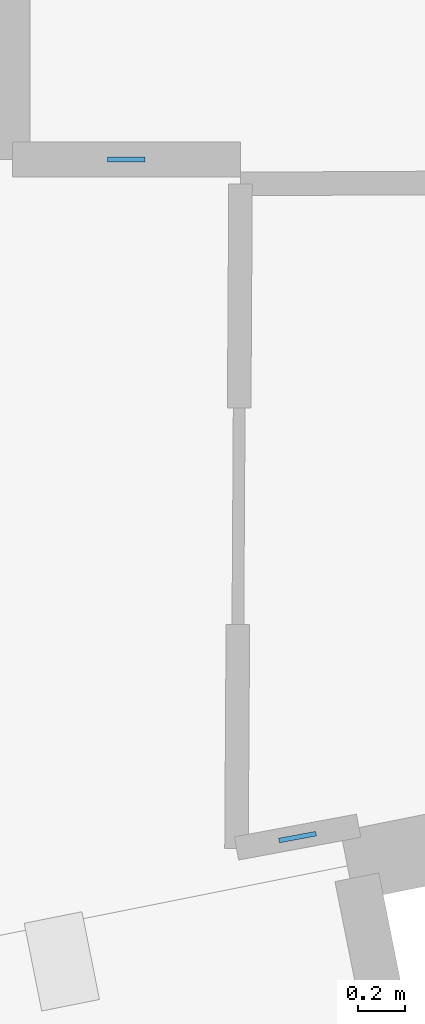
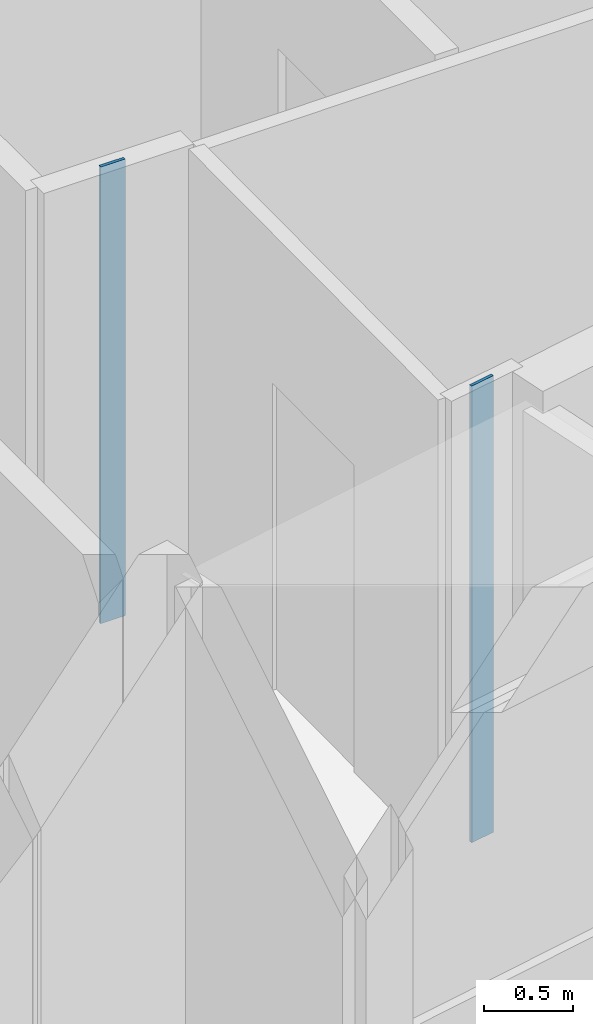
# One storey, part 5 of 16: 2 plates.
"""IFC4 building model written with IfcOpenShell, lengths in metres."""

import ifcopenshell
import ifcopenshell.guid

model = None  # the IFC model being written
_history = None  # IfcOwnerHistory: only IFC2X3 demands one
_inside = {}  # id of a spatial element -> (the spatial element, [elements in it])
_under = {}  # id of a project, library or spatial element -> (it, [spatial elements below it])
_declared = {}  # id of a project -> (the project, [libraries it declares])
_typed = {}  # id of a type object -> (the type object, [elements of that type])
_made_of = {}  # id of a material, layer set ... -> (it, [elements and type objects made of it])


def new_model(schema):
    """Start an empty IFC model of exactly this schema.

    Asked for "IFC4X3", IfcOpenShell would pick the latest addendum, in which some entities
    have other attributes; the version numbers below select the first issue.
    IFC2X3 requires an IfcOwnerHistory on every rooted entity: one is made here for all.
    """
    global model, _history
    if schema == "IFC4X3":
        model = ifcopenshell.file(schema_version=(4, 3, 0, 0))
    else:
        model = ifcopenshell.file(schema=schema)
    _inside.clear()
    _under.clear()
    _declared.clear()
    _typed.clear()
    _made_of.clear()
    _history = None
    if model.schema == "IFC2X3":
        org = make("IfcOrganization", Name="unknown")
        user = make(
            "IfcPersonAndOrganization",
            ThePerson=make("IfcPerson", FamilyName="unknown"),
            TheOrganization=org,
        )
        app = make(
            "IfcApplication",
            ApplicationDeveloper=org,
            Version="unknown",
            ApplicationFullName="unknown",
            ApplicationIdentifier="unknown",
        )
        _history = make(
            "IfcOwnerHistory",
            OwningUser=user,
            OwningApplication=app,
            ChangeAction="ADDED",
            CreationDate=0,
        )
    return model


def make(cls, **values):
    """One entity of the class cls with the attributes given. An attribute that is None is left unset."""
    return model.create_entity(
        cls, **{name: value for name, value in values.items() if value is not None}
    )


def rooted(cls, **values):
    """An entity with a GlobalId (a new one), such as an element, a storey or a relation."""
    return make(cls, GlobalId=ifcopenshell.guid.new(), OwnerHistory=_history, **values)


def si_unit(unit_type, name, prefix=None):
    """IfcSIUnit, for example si_unit("LENGTHUNIT", "METRE", prefix="MILLI")."""
    return make("IfcSIUnit", UnitType=unit_type, Prefix=prefix, Name=name)


def assignment(units):
    """IfcUnitAssignment: the units of a project."""
    return None if units is None else make("IfcUnitAssignment", Units=units)


def point(xyz):
    """IfcCartesianPoint."""
    return None if xyz is None else make("IfcCartesianPoint", Coordinates=xyz)


def direction(xyz):
    """IfcDirection."""
    return None if xyz is None else make("IfcDirection", DirectionRatios=xyz)


def frame(location, z_axis=None, x_axis=None):
    """IfcAxis2Placement3D, a coordinate frame: its origin and axes. An axis left out is left unset."""
    return make(
        "IfcAxis2Placement3D",
        Location=point(location),
        Axis=direction(z_axis),
        RefDirection=direction(x_axis),
    )


def frame_2d(location, x_axis=None):
    """IfcAxis2Placement2D, a coordinate frame in the plane: its origin and x axis."""
    return make(
        "IfcAxis2Placement2D", Location=point(location), RefDirection=direction(x_axis)
    )


def origin():
    """The frame at (0, 0, 0) with its axes left unset."""
    return frame((0.0, 0.0, 0.0))


def origin_2d():
    """The frame at (0, 0) in the plane with its x axis left unset."""
    return frame_2d((0.0, 0.0))


def place(relative_to, where):
    """IfcLocalPlacement: puts the frame where relative to a parent placement (None: the world)."""
    return make(
        "IfcLocalPlacement", PlacementRelTo=relative_to, RelativePlacement=where
    )


def context(
    kind, dimensions, precision=None, world=None, true_north=None, identifier=None
):
    """IfcGeometricRepresentationContext, for example the 3D "Model" context."""
    return make(
        "IfcGeometricRepresentationContext",
        ContextIdentifier=identifier,
        ContextType=kind,
        CoordinateSpaceDimension=dimensions,
        Precision=precision,
        WorldCoordinateSystem=world,
        TrueNorth=true_north,
    )


def subcontext(parent, identifier, kind, view, scale=None):
    """IfcGeometricRepresentationSubContext, for example "Body" below "Model"."""
    return make(
        "IfcGeometricRepresentationSubContext",
        ContextIdentifier=identifier,
        ContextType=kind,
        ParentContext=parent,
        TargetScale=scale,
        TargetView=view,
    )


def project(units=None, contexts=None):
    """IfcProject with its units and contexts."""
    return rooted(
        "IfcProject",
        Name="project",
        RepresentationContexts=contexts,
        UnitsInContext=assignment(units),
    )


def spatial(cls, under=None, at=None, **own):
    """A site, building, storey or space (cls), placed at a placement, below another one or the project."""
    s = rooted(cls, ObjectPlacement=at, **own)
    if under is not None:
        _under.setdefault(under.id(), (under, []))[1].append(s)
    return s


def profile(cls, at=None, kind="AREA", **sizes):
    """A parametric profile (cls). Its sizes go by their IFC names, for example OverallWidth=200.0."""
    return make(cls, ProfileType=kind, Position=at, **sizes)


def rectangle(**sizes):
    """IfcRectangleProfileDef."""
    return profile("IfcRectangleProfileDef", **sizes)


def extrude(swept, where, along, depth):
    """IfcExtrudedAreaSolid: the profile swept, set in the frame where, extruded along a direction by depth."""
    return make(
        "IfcExtrudedAreaSolid",
        SweptArea=swept,
        Position=where,
        ExtrudedDirection=direction(along),
        Depth=depth,
    )


def shape(context_of_items, identifier, shape_type, items):
    """IfcShapeRepresentation: the items that make up one representation, for example the "Body"."""
    return make(
        "IfcShapeRepresentation",
        ContextOfItems=context_of_items,
        RepresentationIdentifier=identifier,
        RepresentationType=shape_type,
        Items=items,
    )


def material(Name=None, Category=None):
    """IfcMaterial."""
    return make("IfcMaterial", Name=Name, Category=Category)


def layer(
    of_material, thickness, ventilated=None, Name=None, Category=None, Priority=None
):
    """IfcMaterialLayer: one layer of a wall or slab, of a material (None: an air gap)."""
    return make(
        "IfcMaterialLayer",
        Material=of_material,
        LayerThickness=thickness,
        IsVentilated=ventilated,
        Name=Name,
        Category=Category,
        Priority=Priority,
    )


def layer_set(layers, Name=None):
    """IfcMaterialLayerSet."""
    return make("IfcMaterialLayerSet", MaterialLayers=layers, LayerSetName=Name)


def made_of(thing, what):
    """Note that an element or type object is made of a material, layer set ...; save() writes the relation."""
    if what is not None:
        _made_of.setdefault(what.id(), (what, []))[1].append(thing)
    return thing


def type_object(cls, material=None, **own):
    """A type object (cls), such as IfcWallType, which elements share."""
    return made_of(rooted(cls, **own), material)


def element(
    cls,
    number,
    at=None,
    inside=None,
    cuts=None,
    type_object=None,
    material=None,
    context=None,
    identifier="Body",
    shape_type=None,
    held_by="IfcProductDefinitionShape",
    body=None,
    shapes=None,
    **own,
):
    """One element of the class cls, such as IfcWall. Its Tag is "e" and its number.

    at: its placement. inside: the storey or other place that contains it. cuts: it is an
    opening in that element (IfcRelVoidsElement). A single representation is given by context,
    identifier, shape_type and body (its items); several are given by shapes. held_by: the class
    of the entity that holds the representations. save() writes the other relations.
    """
    e = rooted(cls, Tag="e%d" % number, ObjectPlacement=at, **own)
    if body is not None:
        shapes = [shape(context, identifier, shape_type, body)]
    if shapes is not None:
        e.Representation = make(held_by, Representations=shapes)
    if inside is not None:
        _inside.setdefault(inside.id(), (inside, []))[1].append(e)
    if cuts is not None:
        rooted(
            "IfcRelVoidsElement", RelatingBuildingElement=cuts, RelatedOpeningElement=e
        )
    if type_object is not None:
        _typed.setdefault(type_object.id(), (type_object, []))[1].append(e)
    return made_of(e, material)


def aggregate(whole, parts):
    """IfcRelAggregates: a whole, such as a stair, and the parts it consists of."""
    return rooted("IfcRelAggregates", RelatingObject=whole, RelatedObjects=parts)


def save(model, path):
    """Write the relations noted so far, then the file.

    IfcRelAggregates (storeys below a building ...), IfcRelContainedInSpatialStructure (elements
    in a storey), IfcRelDefinesByType, IfcRelAssociatesMaterial and IfcRelDeclares: one each for
    every whole, place, type object, material and project.
    """
    for whole, parts in _under.values():
        aggregate(whole, parts)
    for where, things in _inside.values():
        rooted(
            "IfcRelContainedInSpatialStructure",
            RelatedElements=things,
            RelatingStructure=where,
        )
    for kind, things in _typed.values():
        rooted("IfcRelDefinesByType", RelatedObjects=things, RelatingType=kind)
    for what, things in _made_of.values():
        rooted("IfcRelAssociatesMaterial", RelatedObjects=things, RelatingMaterial=what)
    for by, libraries in _declared.values():
        rooted("IfcRelDeclares", RelatingContext=by, RelatedDefinitions=libraries)
    model.write(path)


model = new_model("IFC4")

# Units and contexts
model_context = context("Model", 3, precision=1e-05, world=origin(), true_north=direction((0.0, 1.0)))
body_context = subcontext(model_context, "Body", "Model", "MODEL_VIEW")
ifc_project = project(units=[si_unit("LENGTHUNIT", "METRE"), si_unit("AREAUNIT", "SQUARE_METRE"), si_unit("VOLUMEUNIT", "CUBIC_METRE"), si_unit("PLANEANGLEUNIT", "RADIAN"), si_unit("MASSUNIT", "GRAM", prefix="KILO")], contexts=[model_context])

# Site, building, storey
site_placement = place(None, origin())
site = spatial("IfcSite", under=ifc_project, at=site_placement, CompositionType="ELEMENT")
building_placement = place(site_placement, origin())
building = spatial("IfcBuilding", under=site, at=building_placement, Name="Miruveldt Soraemaru", CompositionType="ELEMENT")
storey_placement = place(building_placement, frame((0.0, 0.0, 42.800048828125)))
storey = spatial("IfcBuildingStorey", under=building, at=storey_placement, Name="L11", CompositionType="ELEMENT", Elevation=42.800048828125)

# Plates
ifc_material = material(Name="Anodised aluminium EN AW-6063 T6", Category="aluminium")
ifc_layer = layer(ifc_material, 0.02001953125, Name="Anodised aluminium EN AW-6063 T6", Category="aluminium")
ifc_layer_set = layer_set([ifc_layer], Name="Anodised aluminium EN AW-6063 T6")
plate_type = type_object("IfcPlateType", Name="PLT-PART-TRIM", PredefinedType="SHEET", material=ifc_layer_set)
for number, where, z_axis, x_axis, name in (
    (1, (56.564697265625, 26.819091796875, 0.0), (0.0, 0.0, 1.0), (1.0, 0.0, 0.0), "L11 Partition Step Corner Trim Plate 082"),
    (2, (57.29248046875, 23.939208984375, 0.0), (0.0, 0.0, 1.0), (0.983159354488, 0.182750331554, 0.0), "L11 Partition Step Corner Trim Plate 001"),
):
    element("IfcPlate", number, at=place(storey_placement, frame(where, z_axis=z_axis, x_axis=x_axis)), inside=storey, type_object=plate_type, Name=name, PredefinedType="SHEET", context=body_context, shape_type="SweptSolid", body=[
        extrude(rectangle(XDim=0.159912109375, YDim=0.02001953125, at=origin_2d()), origin(), (0.0, 0.0, 1.0), 3.125),
    ])

save(model, "model.ifc")
